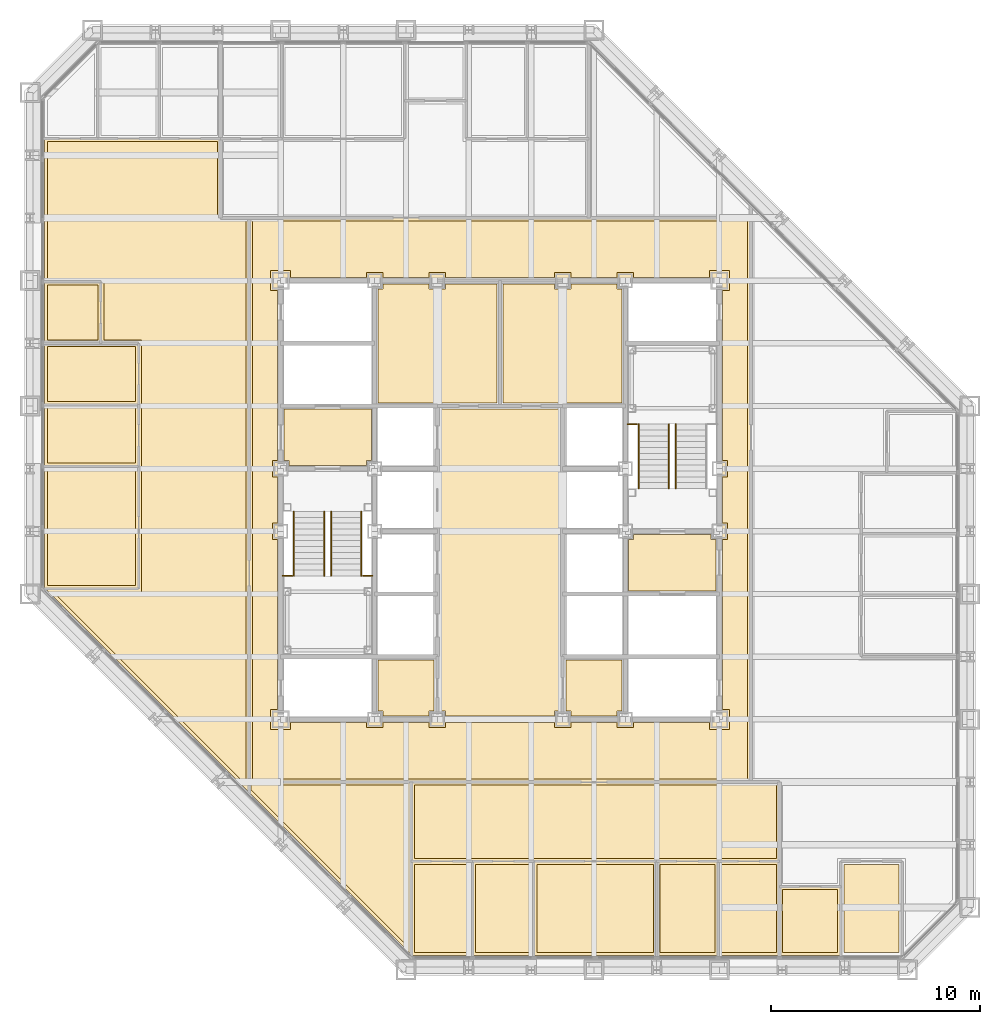
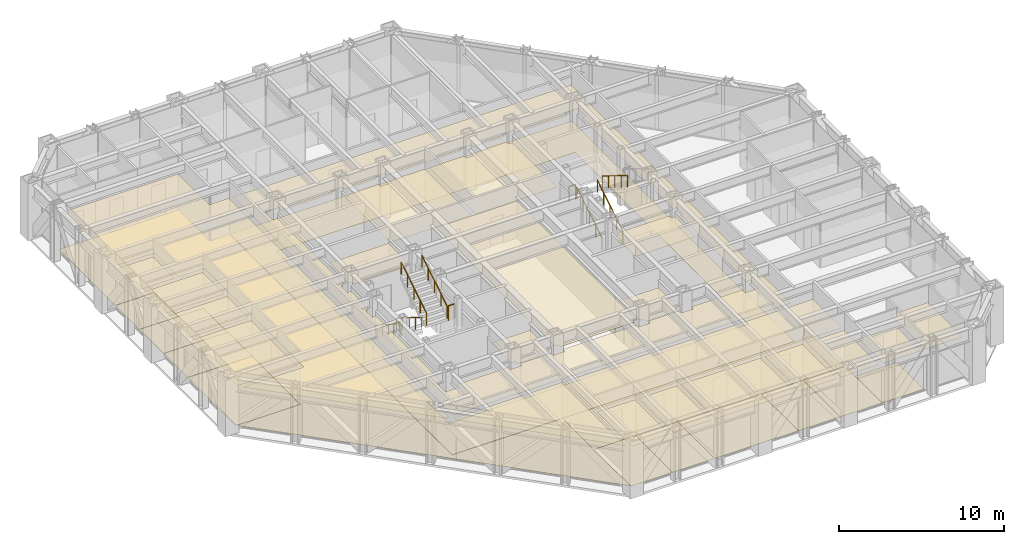
# One storey, part 14 of 16: 35 coverings, 10 railings.
"""IFC4 building model written with IfcOpenShell, lengths in metres."""

from ifc_helpers import new_model, si_unit, direction, frame, origin, origin_2d, place, context, subcontext, project, spatial, polyline, circle, outline, extrude, material, layer, layer_set, type_object, element, save


model = new_model("IFC4")

# Units and contexts
model_context = context("Model", 3, precision=1e-05, world=origin(), true_north=direction((0.0, 1.0)))
body_context = subcontext(model_context, "Body", "Model", "MODEL_VIEW")
ifc_project = project(units=[si_unit("LENGTHUNIT", "METRE"), si_unit("AREAUNIT", "SQUARE_METRE"), si_unit("VOLUMEUNIT", "CUBIC_METRE"), si_unit("PLANEANGLEUNIT", "RADIAN"), si_unit("MASSUNIT", "GRAM", prefix="KILO")], contexts=[model_context])

# Site, building, storey
site_placement = place(None, origin())
site = spatial("IfcSite", under=ifc_project, at=site_placement, CompositionType="ELEMENT")
building_placement = place(site_placement, origin())
building = spatial("IfcBuilding", under=site, at=building_placement, Name="Chuquiago Exchange Tower", CompositionType="ELEMENT")
storey_placement = place(building_placement, frame((0.0, 0.0, 115.199951171875)))
storey = spatial("IfcBuildingStorey", under=building, at=storey_placement, Name="L24", CompositionType="ELEMENT", Elevation=115.199951171875)

# Coverings
ifc_material_1 = material(Name="Mineral fibre tile, 600 x 600, on pale metal grid", Category="mineral fibre")
ifc_layer_1 = layer(ifc_material_1, 0.02001953125)
ifc_layer_set_1 = layer_set([ifc_layer_1], Name="CL1 suspended tile ceiling 20")
covering_type_1 = type_object("IfcCoveringType", Name="CL1 suspended tile ceiling 20", PredefinedType="CEILING", material=ifc_layer_set_1)
covering_1_placement = place(storey_placement, frame((0.0, 0.0, 2.800048828125)))
element("IfcCovering", 1, at=covering_1_placement, inside=storey, type_object=covering_type_1, Name="Ceiling Office", PredefinedType="CEILING", context=body_context, shape_type="SweptSolid", body=[
    extrude(outline(polyline([(18.3984375, 5.050048828125), (21.036376953125, 5.050048828125), (21.036376953125, 0.85009765625), (18.3984375, 0.85009765625), (18.3984375, 5.050048828125)])), origin(), (0.0, 0.0, 1.0), 0.02001953125),
])
covering_2_placement = place(storey_placement, frame((0.0, 0.0, 2.800048828125)))
element("IfcCovering", 2, at=covering_2_placement, inside=storey, type_object=covering_type_1, Name="Ceiling Office", PredefinedType="CEILING", context=body_context, shape_type="SweptSolid", body=[
    extrude(outline(polyline([(21.33642578125, 5.050048828125), (23.974365234375, 5.050048828125), (23.974365234375, 0.85009765625), (21.33642578125, 0.85009765625), (21.33642578125, 5.050048828125)])), origin(), (0.0, 0.0, 1.0), 0.02001953125),
])
covering_3_placement = place(storey_placement, frame((0.0, 0.0, 2.800048828125)))
element("IfcCovering", 3, at=covering_3_placement, inside=storey, type_object=covering_type_1, Name="Ceiling Meeting room", PredefinedType="CEILING", context=body_context, shape_type="SweptSolid", body=[
    extrude(outline(polyline([(24.2744140625, 5.050048828125), (29.85009765625, 5.050048828125), (29.85009765625, 0.85009765625), (24.2744140625, 0.85009765625), (24.2744140625, 5.050048828125)])), origin(), (0.0, 0.0, 1.0), 0.02001953125),
])
covering_4_placement = place(storey_placement, frame((0.0, 0.0, 2.800048828125)))
element("IfcCovering", 4, at=covering_4_placement, inside=storey, type_object=covering_type_1, Name="Ceiling Office", PredefinedType="CEILING", context=body_context, shape_type="SweptSolid", body=[
    extrude(outline(polyline([(30.14990234375, 5.050048828125), (32.787841796875, 5.050048828125), (32.787841796875, 0.85009765625), (30.14990234375, 0.85009765625), (30.14990234375, 5.050048828125)])), origin(), (0.0, 0.0, 1.0), 0.02001953125),
])
covering_5_placement = place(storey_placement, frame((0.0, 0.0, 2.800048828125)))
element("IfcCovering", 5, at=covering_5_placement, inside=storey, type_object=covering_type_1, Name="Ceiling Office", PredefinedType="CEILING", context=body_context, shape_type="SweptSolid", body=[
    extrude(outline(polyline([(33.087890625, 5.050048828125), (35.7255859375, 5.050048828125), (35.7255859375, 0.85009765625), (33.087890625, 0.85009765625), (33.087890625, 5.050048828125)])), origin(), (0.0, 0.0, 1.0), 0.02001953125),
])
covering_6_placement = place(storey_placement, frame((0.0, 0.0, 2.800048828125)))
element("IfcCovering", 6, at=covering_6_placement, inside=storey, type_object=covering_type_1, Name="Ceiling Pantry", PredefinedType="CEILING", context=body_context, shape_type="SweptSolid", body=[
    extrude(outline(polyline([(36.025634765625, 3.85009765625), (38.66357421875, 3.85009765625), (38.66357421875, 0.85009765625), (36.025634765625, 0.85009765625), (36.025634765625, 3.85009765625)])), origin(), (0.0, 0.0, 1.0), 0.02001953125),
])
covering_7_placement = place(storey_placement, frame((0.0, 0.0, 2.800048828125)))
element("IfcCovering", 7, at=covering_7_placement, inside=storey, type_object=covering_type_1, Name="Ceiling Office", PredefinedType="CEILING", context=body_context, shape_type="SweptSolid", body=[
    extrude(outline(polyline([(38.963623046875, 0.85009765625), (38.963623046875, 5.050048828125), (41.6015625, 5.050048828125), (41.6015625, 0.85009765625), (38.963623046875, 0.85009765625)])), origin(), (0.0, 0.0, 1.0), 0.02001953125),
])
covering_8_placement = place(storey_placement, frame((0.0, 0.0, 2.800048828125)))
element("IfcCovering", 8, at=covering_8_placement, inside=storey, type_object=covering_type_1, Name="Ceiling Meeting room", PredefinedType="CEILING", context=body_context, shape_type="SweptSolid", body=[
    extrude(outline(polyline([(0.85009765625, 23.974365234375), (5.050048828125, 23.974365234375), (5.050048828125, 18.3984375), (0.85009765625, 18.3984375), (0.85009765625, 23.974365234375)])), origin(), (0.0, 0.0, 1.0), 0.02001953125),
])
covering_9_placement = place(storey_placement, frame((0.0, 0.0, 2.800048828125)))
element("IfcCovering", 9, at=covering_9_placement, inside=storey, type_object=covering_type_1, Name="Ceiling Office", PredefinedType="CEILING", context=body_context, shape_type="SweptSolid", body=[
    extrude(outline(polyline([(5.050048828125, 26.912109375), (5.050048828125, 24.2744140625), (0.85009765625, 24.2744140625), (0.85009765625, 26.912109375), (5.050048828125, 26.912109375)])), origin(), (0.0, 0.0, 1.0), 0.02001953125),
])
covering_10_placement = place(storey_placement, frame((0.0, 0.0, 2.800048828125)))
element("IfcCovering", 10, at=covering_10_placement, inside=storey, type_object=covering_type_1, Name="Ceiling Office", PredefinedType="CEILING", context=body_context, shape_type="SweptSolid", body=[
    extrude(outline(polyline([(5.050048828125, 29.85009765625), (5.050048828125, 27.212158203125), (0.85009765625, 27.212158203125), (0.85009765625, 29.85009765625), (5.050048828125, 29.85009765625)])), origin(), (0.0, 0.0, 1.0), 0.02001953125),
])
covering_11_placement = place(storey_placement, frame((0.0, 0.0, 2.800048828125)))
element("IfcCovering", 11, at=covering_11_placement, inside=storey, type_object=covering_type_1, Name="Ceiling Focus room", PredefinedType="CEILING", context=body_context, shape_type="SweptSolid", body=[
    extrude(outline(polyline([(3.25, 32.787841796875), (3.25, 30.14990234375), (0.85009765625, 30.14990234375), (0.85009765625, 32.787841796875), (3.25, 32.787841796875)])), origin(), (0.0, 0.0, 1.0), 0.02001953125),
])
covering_12_placement = place(storey_placement, frame((0.0, 0.0, 2.800048828125)))
element("IfcCovering", 12, at=covering_12_placement, inside=storey, type_object=covering_type_1, Name="Ceiling Open office south suite", PredefinedType="CEILING", context=body_context, shape_type="SweptSolid", body=[
    extrude(outline(polyline([(18.39892578125, 5.35009765625), (18.39892578125, 8.849609375), (35.72509765625, 8.849609375), (35.72509765625, 5.35009765625), (18.39892578125, 5.35009765625)])), origin(), (0.0, 0.0, 1.0), 0.02001953125),
])
covering_13_placement = place(storey_placement, frame((0.0, 0.0, 2.800048828125)))
element("IfcCovering", 13, at=covering_13_placement, inside=storey, type_object=covering_type_1, Name="Ceiling Open office west suite", PredefinedType="CEILING", context=body_context, shape_type="SweptSolid", body=[
    extrude(outline(polyline([(8.973876953125, 39.64990234375), (8.973876953125, 35.849853515625), (10.349609375, 35.849609375), (10.349609375, 9.0849609375), (10.116943359375, 9.0849609375), (1.103515625, 18.098388671875), (5.35009765625, 18.098388671875), (5.35009765625, 30.14990234375), (3.550048828125, 30.14990234375), (3.550048828125, 33.087890625), (0.85009765625, 33.087890625), (0.85009765625, 39.64990234375), (8.973876953125, 39.64990234375)])), origin(), (0.0, 0.0, 1.0), 0.02001953125),
])
covering_14_placement = place(storey_placement, frame((0.0, 0.0, 2.800048828125)))
element("IfcCovering", 14, at=covering_14_placement, inside=storey, type_object=covering_type_1, Name="Ceiling Open office west suite", PredefinedType="CEILING", context=body_context, shape_type="SweptSolid", body=[
    extrude(outline(polyline([(18.097900390625, 8.849609375), (18.097900390625, 1.10400390625), (10.5849609375, 8.616943359375), (10.5849609375, 8.849853515625), (18.097900390625, 8.849609375)])), origin(), (0.0, 0.0, 1.0), 0.02001953125),
])
covering_15_placement = place(storey_placement, frame((0.0, 0.0, 2.800048828125)))
element("IfcCovering", 15, at=covering_15_placement, inside=storey, type_object=covering_type_1, Name="Ceiling Tenant corridor", PredefinedType="CEILING", context=body_context, shape_type="SweptSolid", body=[
    extrude(outline(polyline([(10.64990234375, 35.85009765625), (34.35009765625, 35.85009765625), (34.35009765625, 9.14990234375), (10.64990234375, 9.14990234375), (10.64990234375, 35.85009765625)]), holes=[polyline([(11.85009765625, 24.39990234375), (11.60009765625, 24.39990234375), (11.60009765625, 23.60009765625), (11.85009765625, 23.60009765625), (11.85009765625, 21.39990234375), (11.60009765625, 21.39990234375), (11.60009765625, 20.60009765625), (11.85009765625, 20.60009765625), (11.85009765625, 12.47509765625), (11.52490234375, 12.47509765625), (11.52490234375, 11.52490234375), (12.47509765625, 11.52490234375), (12.47509765625, 11.85009765625), (16.10009765625, 11.85009765625), (16.10009765625, 11.60009765625), (16.89990234375, 11.60009765625), (16.89990234375, 11.85009765625), (19.10009765625, 11.85009765625), (19.10009765625, 11.60009765625), (19.89990234375, 11.60009765625), (19.89990234375, 11.85009765625), (25.10009765625, 11.85009765625), (25.10009765625, 11.60009765625), (25.89990234375, 11.60009765625), (25.89990234375, 11.85009765625), (28.10009765625, 11.85009765625), (28.10009765625, 11.60009765625), (28.89990234375, 11.60009765625), (28.89990234375, 11.85009765625), (32.52490234375, 11.85009765625), (32.52490234375, 11.52490234375), (33.47509765625, 11.52490234375), (33.47509765625, 12.47509765625), (33.14990234375, 12.47509765625), (33.14990234375, 20.60009765625), (33.39990234375, 20.60009765625), (33.39990234375, 21.39990234375), (33.14990234375, 21.39990234375), (33.14990234375, 23.60009765625), (33.39990234375, 23.60009765625), (33.39990234375, 24.39990234375), (33.14990234375, 24.39990234375), (33.14990234375, 32.52490234375), (33.47509765625, 32.52490234375), (33.47509765625, 33.47509765625), (32.52490234375, 33.47509765625), (32.52490234375, 33.14990234375), (28.89990234375, 33.14990234375), (28.89990234375, 33.39990234375), (28.10009765625, 33.39990234375), (28.10009765625, 33.14990234375), (25.89990234375, 33.14990234375), (25.89990234375, 33.39990234375), (25.10009765625, 33.39990234375), (25.10009765625, 33.14990234375), (19.89990234375, 33.14990234375), (19.89990234375, 33.39990234375), (19.10009765625, 33.39990234375), (19.10009765625, 33.14990234375), (16.89990234375, 33.14990234375), (16.89990234375, 33.39990234375), (16.10009765625, 33.39990234375), (16.10009765625, 33.14990234375), (12.47509765625, 33.14990234375), (12.47509765625, 33.47509765625), (11.52490234375, 33.47509765625), (11.52490234375, 32.52490234375), (11.85009765625, 32.52490234375), (11.85009765625, 24.39990234375)])]), origin(), (0.0, 0.0, 1.0), 0.02001953125),
])
ifc_material_2 = material(Name="Moisture resistant plasterboard on metal frame", Category="gypsum")
ifc_layer_2 = layer(ifc_material_2, 0.014892578125)
ifc_layer_set_2 = layer_set([ifc_layer_2], Name="CL2 moisture resistant ceiling 15")
covering_type_2 = type_object("IfcCoveringType", Name="CL2 moisture resistant ceiling 15", PredefinedType="CEILING", material=ifc_layer_set_2)
covering_16_placement = place(storey_placement, frame((0.0, 0.0, 2.60009765625)))
element("IfcCovering", 16, at=covering_16_placement, inside=storey, type_object=covering_type_2, Name="Ceiling Male WC", PredefinedType="CEILING", context=body_context, shape_type="SweptSolid", body=[
    extrude(outline(polyline([(16.64990234375, 27.14990234375), (16.64990234375, 32.60009765625), (16.89990234375, 32.60009765625), (16.89990234375, 32.85009765625), (19.10009765625, 32.85009765625), (19.10009765625, 32.60009765625), (19.89990234375, 32.60009765625), (19.89990234375, 32.85009765625), (22.35009765625, 32.85009765625), (22.35009765625, 27.14990234375), (16.64990234375, 27.14990234375)])), origin(), (0.0, 0.0, 1.0), 0.014892578125),
])
covering_17_placement = place(storey_placement, frame((0.0, 0.0, 2.60009765625)))
element("IfcCovering", 17, at=covering_17_placement, inside=storey, type_object=covering_type_2, Name="Ceiling Female WC", PredefinedType="CEILING", context=body_context, shape_type="SweptSolid", body=[
    extrude(outline(polyline([(22.64990234375, 27.14990234375), (22.64990234375, 32.85009765625), (25.10009765625, 32.85009765625), (25.10009765625, 32.60009765625), (25.89990234375, 32.60009765625), (25.89990234375, 32.85009765625), (28.10009765625, 32.85009765625), (28.10009765625, 32.60009765625), (28.35009765625, 32.60009765625), (28.35009765625, 27.14990234375), (22.64990234375, 27.14990234375)])), origin(), (0.0, 0.0, 1.0), 0.014892578125),
])
covering_18_placement = place(storey_placement, frame((0.0, 0.0, 2.60009765625)))
element("IfcCovering", 18, at=covering_18_placement, inside=storey, type_object=covering_type_2, Name="Ceiling Accessible WC", PredefinedType="CEILING", context=body_context, shape_type="SweptSolid", body=[
    extrude(outline(polyline([(25.89990234375, 12.14990234375), (25.89990234375, 12.39990234375), (25.64990234375, 12.39990234375), (25.64990234375, 14.85009765625), (28.35009765625, 14.85009765625), (28.35009765625, 12.39990234375), (28.10009765625, 12.39990234375), (28.10009765625, 12.14990234375), (25.89990234375, 12.14990234375)])), origin(), (0.0, 0.0, 1.0), 0.014892578125),
])
covering_19_placement = place(storey_placement, frame((0.0, 0.0, 2.60009765625)))
element("IfcCovering", 19, at=covering_19_placement, inside=storey, type_object=covering_type_2, Name="Ceiling Cleaner", PredefinedType="CEILING", context=body_context, shape_type="SweptSolid", body=[
    extrude(outline(polyline([(16.89990234375, 12.14990234375), (16.89990234375, 12.39990234375), (16.64990234375, 12.39990234375), (16.64990234375, 14.85009765625), (19.35009765625, 14.85009765625), (19.35009765625, 12.39990234375), (19.10009765625, 12.39990234375), (19.10009765625, 12.14990234375), (16.89990234375, 12.14990234375)])), origin(), (0.0, 0.0, 1.0), 0.014892578125),
])
ifc_material_3 = material(Name="Pale metal plank ceiling, perforated", Category="aluminium")
ifc_layer_3 = layer(ifc_material_3, 0.030029296875)
ifc_layer_set_3 = layer_set([ifc_layer_3], Name="CL3 metal plank ceiling 30")
covering_type_3 = type_object("IfcCoveringType", Name="CL3 metal plank ceiling 30", PredefinedType="CEILING", material=ifc_layer_set_3)
covering_20_placement = place(storey_placement, frame((0.0, 0.0, 2.800048828125)))
element("IfcCovering", 20, at=covering_20_placement, inside=storey, type_object=covering_type_3, Name="Ceiling Lift lobby", PredefinedType="CEILING", context=body_context, shape_type="SweptSolid", body=[
    extrude(outline(polyline([(19.89990234375, 12.14990234375), (19.89990234375, 12.39990234375), (19.64990234375, 12.39990234375), (19.64990234375, 26.85009765625), (25.35009765625, 26.85009765625), (25.35009765625, 12.39990234375), (25.10009765625, 12.39990234375), (25.10009765625, 12.14990234375), (19.89990234375, 12.14990234375)])), origin(), (0.0, 0.0, 1.0), 0.030029296875),
])
covering_21_placement = place(storey_placement, frame((0.0, 0.0, 2.800048828125)))
element("IfcCovering", 21, at=covering_21_placement, inside=storey, type_object=covering_type_3, Name="Ceiling Firefighting lobby", PredefinedType="CEILING", context=body_context, shape_type="SweptSolid", body=[
    extrude(outline(polyline([(12.39990234375, 24.14990234375), (12.39990234375, 24.39990234375), (12.14990234375, 24.39990234375), (12.14990234375, 26.85009765625), (16.35009765625, 26.85009765625), (16.35009765625, 24.39990234375), (16.10009765625, 24.39990234375), (16.10009765625, 24.14990234375), (12.39990234375, 24.14990234375)])), origin(), (0.0, 0.0, 1.0), 0.030029296875),
])
covering_22_placement = place(storey_placement, frame((0.0, 0.0, 2.800048828125)))
element("IfcCovering", 22, at=covering_22_placement, inside=storey, type_object=covering_type_3, Name="Ceiling Firefighting lobby", PredefinedType="CEILING", context=body_context, shape_type="SweptSolid", body=[
    extrude(outline(polyline([(28.64990234375, 18.14990234375), (28.64990234375, 20.60009765625), (28.89990234375, 20.60009765625), (28.89990234375, 20.85009765625), (32.60009765625, 20.85009765625), (32.60009765625, 20.60009765625), (32.85009765625, 20.60009765625), (32.85009765625, 18.14990234375), (28.64990234375, 18.14990234375)])), origin(), (0.0, 0.0, 1.0), 0.030029296875),
])
ifc_material_4 = material(Name="Carpet tile, 500 x 500, on the floor slab", Category="textile")
ifc_layer_4 = layer(ifc_material_4, 0.010009765625)
ifc_layer_set_4 = layer_set([ifc_layer_4], Name="FL1 carpet tile 10")
covering_type_4 = type_object("IfcCoveringType", Name="FL1 carpet tile 10", PredefinedType="FLOORING", material=ifc_layer_set_4)
covering_23_placement = place(storey_placement, origin())
element("IfcCovering", 23, at=covering_23_placement, inside=storey, type_object=covering_type_4, Name="Floor finish Office", PredefinedType="FLOORING", context=body_context, shape_type="SweptSolid", body=[
    extrude(outline(polyline([(18.289794921875, 0.699951171875), (18.24853515625, 0.741455078125), (18.24853515625, 5.199951171875), (21.186279296875, 5.199951171875), (21.186279296875, 0.699951171875), (18.289794921875, 0.699951171875)])), origin(), (0.0, 0.0, 1.0), 0.010009765625),
])
covering_24_placement = place(storey_placement, origin())
element("IfcCovering", 24, at=covering_24_placement, inside=storey, type_object=covering_type_4, Name="Floor finish Office", PredefinedType="FLOORING", context=body_context, shape_type="SweptSolid", body=[
    extrude(outline(polyline([(21.186279296875, 0.699951171875), (21.186279296875, 5.199951171875), (24.124267578125, 5.199951171875), (24.124267578125, 0.699951171875), (21.186279296875, 0.699951171875)])), origin(), (0.0, 0.0, 1.0), 0.010009765625),
])
covering_25_placement = place(storey_placement, origin())
element("IfcCovering", 25, at=covering_25_placement, inside=storey, type_object=covering_type_4, Name="Floor finish Meeting room", PredefinedType="FLOORING", context=body_context, shape_type="SweptSolid", body=[
    extrude(outline(polyline([(24.124267578125, 0.699951171875), (24.124267578125, 5.199951171875), (30.0, 5.199951171875), (30.0, 0.699951171875), (24.124267578125, 0.699951171875)])), origin(), (0.0, 0.0, 1.0), 0.010009765625),
])
covering_26_placement = place(storey_placement, origin())
element("IfcCovering", 26, at=covering_26_placement, inside=storey, type_object=covering_type_4, Name="Floor finish Office", PredefinedType="FLOORING", context=body_context, shape_type="SweptSolid", body=[
    extrude(outline(polyline([(30.0, 0.699951171875), (30.0, 5.199951171875), (32.93798828125, 5.199951171875), (32.93798828125, 0.699951171875), (30.0, 0.699951171875)])), origin(), (0.0, 0.0, 1.0), 0.010009765625),
])
covering_27_placement = place(storey_placement, origin())
element("IfcCovering", 27, at=covering_27_placement, inside=storey, type_object=covering_type_4, Name="Floor finish Office", PredefinedType="FLOORING", context=body_context, shape_type="SweptSolid", body=[
    extrude(outline(polyline([(32.93798828125, 0.699951171875), (32.93798828125, 5.199951171875), (35.875732421875, 5.199951171875), (35.875732421875, 0.699951171875), (32.93798828125, 0.699951171875)])), origin(), (0.0, 0.0, 1.0), 0.010009765625),
])
covering_28_placement = place(storey_placement, origin())
element("IfcCovering", 28, at=covering_28_placement, inside=storey, type_object=covering_type_4, Name="Floor finish Meeting room", PredefinedType="FLOORING", context=body_context, shape_type="SweptSolid", body=[
    extrude(outline(polyline([(0.699951171875, 24.124267578125), (5.199951171875, 24.124267578125), (5.199951171875, 18.24853515625), (0.741455078125, 18.24853515625), (0.699951171875, 18.289794921875), (0.699951171875, 24.124267578125)])), origin(), (0.0, 0.0, 1.0), 0.010009765625),
])
covering_29_placement = place(storey_placement, origin())
element("IfcCovering", 29, at=covering_29_placement, inside=storey, type_object=covering_type_4, Name="Floor finish Office", PredefinedType="FLOORING", context=body_context, shape_type="SweptSolid", body=[
    extrude(outline(polyline([(0.699951171875, 27.06201171875), (5.199951171875, 27.06201171875), (5.199951171875, 24.124267578125), (0.699951171875, 24.124267578125), (0.699951171875, 27.06201171875)])), origin(), (0.0, 0.0, 1.0), 0.010009765625),
])
covering_30_placement = place(storey_placement, origin())
element("IfcCovering", 30, at=covering_30_placement, inside=storey, type_object=covering_type_4, Name="Floor finish Office", PredefinedType="FLOORING", context=body_context, shape_type="SweptSolid", body=[
    extrude(outline(polyline([(0.699951171875, 30.0), (5.199951171875, 30.0), (5.199951171875, 27.06201171875), (0.699951171875, 27.06201171875), (0.699951171875, 30.0)])), origin(), (0.0, 0.0, 1.0), 0.010009765625),
])
covering_31_placement = place(storey_placement, origin())
element("IfcCovering", 31, at=covering_31_placement, inside=storey, type_object=covering_type_4, Name="Floor finish Focus room", PredefinedType="FLOORING", context=body_context, shape_type="SweptSolid", body=[
    extrude(outline(polyline([(0.699951171875, 32.93798828125), (3.39990234375, 32.93798828125), (3.39990234375, 30.0), (0.699951171875, 30.0), (0.699951171875, 32.93798828125)])), origin(), (0.0, 0.0, 1.0), 0.010009765625),
])
covering_32_placement = place(storey_placement, origin())
element("IfcCovering", 32, at=covering_32_placement, inside=storey, type_object=covering_type_4, Name="Floor finish Open office south suite", PredefinedType="FLOORING", context=body_context, shape_type="SweptSolid", body=[
    extrude(outline(polyline([(35.875244140625, 5.199951171875), (18.2490234375, 5.199951171875), (18.2490234375, 8.99951171875), (35.875244140625, 8.99951171875), (35.875244140625, 5.199951171875)])), origin(), (0.0, 0.0, 1.0), 0.010009765625),
])
covering_33_placement = place(storey_placement, origin())
element("IfcCovering", 33, at=covering_33_placement, inside=storey, type_object=covering_type_4, Name="Floor finish Open office west suite", PredefinedType="FLOORING", context=body_context, shape_type="SweptSolid", body=[
    extrude(outline(polyline([(0.699951171875, 39.800048828125), (9.123779296875, 39.800048828125), (9.123779296875, 35.999755859375), (10.49951171875, 35.99951171875), (10.49951171875, 9.0), (18.248046875, 8.99951171875), (18.248046875, 0.741943359375), (0.741455078125, 18.24853515625), (5.199951171875, 18.24853515625), (5.199951171875, 30.0), (3.39990234375, 30.0), (3.39990234375, 32.93798828125), (0.699951171875, 32.93798828125), (0.699951171875, 39.800048828125)])), origin(), (0.0, 0.0, 1.0), 0.010009765625),
])
ifc_material_5 = material(Name="Porcelain floor tile, 600 x 600, on adhesive bed", Category="ceramic")
ifc_layer_5 = layer(ifc_material_5, 0.014892578125)
ifc_layer_set_5 = layer_set([ifc_layer_5], Name="FL2 porcelain tile 15")
covering_type_5 = type_object("IfcCoveringType", Name="FL2 porcelain tile 15", PredefinedType="FLOORING", material=ifc_layer_set_5)
covering_34_placement = place(storey_placement, origin())
element("IfcCovering", 34, at=covering_34_placement, inside=storey, type_object=covering_type_5, Name="Floor finish Pantry", PredefinedType="FLOORING", context=body_context, shape_type="SweptSolid", body=[
    extrude(outline(polyline([(35.875732421875, 0.699951171875), (35.875732421875, 4.0), (38.813720703125, 4.0), (38.813720703125, 0.699951171875), (35.875732421875, 0.699951171875)])), origin(), (0.0, 0.0, 1.0), 0.01513671875),
])
covering_35_placement = place(storey_placement, origin())
element("IfcCovering", 35, at=covering_35_placement, inside=storey, type_object=covering_type_5, Name="Floor finish Tenant corridor", PredefinedType="FLOORING", context=body_context, shape_type="SweptSolid", body=[
    extrude(outline(polyline([(10.5, 9.0), (10.5, 36.0), (34.5, 36.0), (34.5, 9.0), (10.5, 9.0)]), holes=[polyline([(12.0, 33.0), (12.0, 12.0), (33.0, 12.0), (33.0, 33.0), (12.0, 33.0)])]), origin(), (0.0, 0.0, 1.0), 0.01513671875),
])

# Railings
ifc_material_6 = material(Name="Pale metal guard with safety glass infill", Category="glass")
railing_type_1 = type_object("IfcRailingType", Name="GR1 guard 1100", PredefinedType="GUARDRAIL", material=ifc_material_6)
for number, where, name in (
    (36, (12.10009765625, 18.8701171875, 2.10009765625), "Guard ST1 L24 landing 2"),
    (37, (15.945068359375, 18.8701171875, 2.10009765625), "Guard ST1 L24 landing 2"),
    (38, (28.60009765625, 26.1298828125, 2.10009765625), "Guard ST2 L24 landing 2"),
):
    element("IfcRailing", number, at=place(storey_placement, frame(where)), inside=storey, type_object=railing_type_1, Name=name, PredefinedType="GUARDRAIL", context=body_context, shape_type="SweptSolid", body=[
        extrude(circle(Radius=0.02392578125, at=origin_2d()), frame((0.0, 0.0, 1.076171875), z_axis=(1.0, 0.0, 0.0), x_axis=(0.0, 1.0, 0.0)), (0.0, 0.0, 1.0), 0.454833984375),
        extrude(circle(Radius=0.02099609375, at=origin_2d()), origin(), (0.0, 0.0, 1.0), 1.052001953125),
        extrude(circle(Radius=0.02099609375, at=origin_2d()), frame((0.454833984375, 0.0, 0.0)), (0.0, 0.0, 1.0), 1.052001953125),
    ])
ifc_material_7 = material(Name="Pale metal handrail", Category="steel")
railing_type_2 = type_object("IfcRailingType", Name="HR1 handrail 900", PredefinedType="HANDRAIL", material=ifc_material_7)
for number, where, name in (
    (39, (12.635009765625, 21.949951171875, 0.175048828125), "Handrail ST1 L24 flight 1"),
    (40, (14.0849609375, 21.949951171875, 0.175048828125), "Handrail ST1 L24 flight 1"),
):
    element("IfcRailing", number, at=place(storey_placement, frame(where)), inside=storey, type_object=railing_type_2, Name=name, PredefinedType="HANDRAIL", context=body_context, shape_type="SweptSolid", body=[
        extrude(circle(Radius=0.02392578125, at=origin_2d()), frame((0.0, 0.0, 0.8759765625), z_axis=(0.0, -0.847979421464, 0.530029150871), x_axis=(1.0, 0.0, 0.0)), (0.0, 0.0, 1.0), 3.632080078125),
        extrude(circle(Radius=0.02099609375, at=origin_2d()), origin(), (0.0, 0.0, 1.0), 0.851806640625),
        extrude(circle(Radius=0.02099609375, at=origin_2d()), frame((0.0, -0.77001953125, 0.481201171875)), (0.0, 0.0, 1.0), 0.851806640625),
        extrude(circle(Radius=0.02099609375, at=origin_2d()), frame((0.0, -1.5400390625, 0.96240234375)), (0.0, 0.0, 1.0), 0.851806640625),
        extrude(circle(Radius=0.02099609375, at=origin_2d()), frame((0.0, -2.309814453125, 1.44384765625)), (0.0, 0.0, 1.0), 0.851806640625),
        extrude(circle(Radius=0.02099609375, at=origin_2d()), frame((0.0, -3.079833984375, 1.925048828125)), (0.0, 0.0, 1.0), 0.851806640625),
    ])
for number, where, name in (
    (41, (15.864990234375, 18.8701171875, 2.275146484375), "Handrail ST1 L24 flight 2"),
    (42, (14.4150390625, 18.8701171875, 2.275146484375), "Handrail ST1 L24 flight 2"),
):
    element("IfcRailing", number, at=place(storey_placement, frame(where)), inside=storey, type_object=railing_type_2, Name=name, PredefinedType="HANDRAIL", context=body_context, shape_type="SweptSolid", body=[
        extrude(circle(Radius=0.02392578125, at=origin_2d()), frame((0.0, 0.0, 0.8759765625), z_axis=(0.0, 0.848009633417, 0.529980812513), x_axis=(-1.0, 0.0, 0.0)), (0.0, 0.0, 1.0), 3.6318359375),
        extrude(circle(Radius=0.02099609375, at=origin_2d()), origin(), (0.0, 0.0, 1.0), 0.851806640625),
        extrude(circle(Radius=0.02099609375, at=origin_2d()), frame((0.0, 0.77001953125, 0.481201171875)), (0.0, 0.0, 1.0), 0.851806640625),
        extrude(circle(Radius=0.02099609375, at=origin_2d()), frame((0.0, 1.5400390625, 0.96240234375)), (0.0, 0.0, 1.0), 0.851806640625),
        extrude(circle(Radius=0.02099609375, at=origin_2d()), frame((0.0, 2.309814453125, 1.443603515625)), (0.0, 0.0, 1.0), 0.851806640625),
        extrude(circle(Radius=0.02099609375, at=origin_2d()), frame((0.0, 3.079833984375, 1.9248046875)), (0.0, 0.0, 1.0), 0.851806640625),
    ])
for number, where, name in (
    (43, (30.5849609375, 23.050048828125, 0.175048828125), "Handrail ST2 L24 flight 1"),
    (44, (29.135009765625, 23.050048828125, 0.175048828125), "Handrail ST2 L24 flight 1"),
):
    element("IfcRailing", number, at=place(storey_placement, frame(where)), inside=storey, type_object=railing_type_2, Name=name, PredefinedType="HANDRAIL", context=body_context, shape_type="SweptSolid", body=[
        extrude(circle(Radius=0.02392578125, at=origin_2d()), frame((0.0, 0.0, 0.8759765625), z_axis=(0.0, 0.847979421464, 0.530029150871), x_axis=(-1.0, 0.0, 0.0)), (0.0, 0.0, 1.0), 3.632080078125),
        extrude(circle(Radius=0.02099609375, at=origin_2d()), origin(), (0.0, 0.0, 1.0), 0.851806640625),
        extrude(circle(Radius=0.02099609375, at=origin_2d()), frame((0.0, 0.77001953125, 0.481201171875)), (0.0, 0.0, 1.0), 0.851806640625),
        extrude(circle(Radius=0.02099609375, at=origin_2d()), frame((0.0, 1.5400390625, 0.96240234375)), (0.0, 0.0, 1.0), 0.851806640625),
        extrude(circle(Radius=0.02099609375, at=origin_2d()), frame((0.0, 2.309814453125, 1.44384765625)), (0.0, 0.0, 1.0), 0.851806640625),
        extrude(circle(Radius=0.02099609375, at=origin_2d()), frame((0.0, 3.079833984375, 1.925048828125)), (0.0, 0.0, 1.0), 0.851806640625),
    ])
railing_placement = place(storey_placement, frame((30.9150390625, 26.1298828125, 2.275146484375)))
element("IfcRailing", 45, at=railing_placement, inside=storey, type_object=railing_type_2, Name="Handrail ST2 L24 flight 2", PredefinedType="HANDRAIL", context=body_context, shape_type="SweptSolid", body=[
    extrude(circle(Radius=0.02392578125, at=origin_2d()), frame((0.0, 0.0, 0.8759765625), z_axis=(0.0, -0.848009633417, 0.529980812513), x_axis=(1.0, 0.0, 0.0)), (0.0, 0.0, 1.0), 3.6318359375),
    extrude(circle(Radius=0.02099609375, at=origin_2d()), origin(), (0.0, 0.0, 1.0), 0.851806640625),
    extrude(circle(Radius=0.02099609375, at=origin_2d()), frame((0.0, -0.77001953125, 0.481201171875)), (0.0, 0.0, 1.0), 0.851806640625),
    extrude(circle(Radius=0.02099609375, at=origin_2d()), frame((0.0, -1.5400390625, 0.96240234375)), (0.0, 0.0, 1.0), 0.851806640625),
    extrude(circle(Radius=0.02099609375, at=origin_2d()), frame((0.0, -2.309814453125, 1.443603515625)), (0.0, 0.0, 1.0), 0.851806640625),
    extrude(circle(Radius=0.02099609375, at=origin_2d()), frame((0.0, -3.079833984375, 1.9248046875)), (0.0, 0.0, 1.0), 0.851806640625),
])

save(model, "model.ifc")
